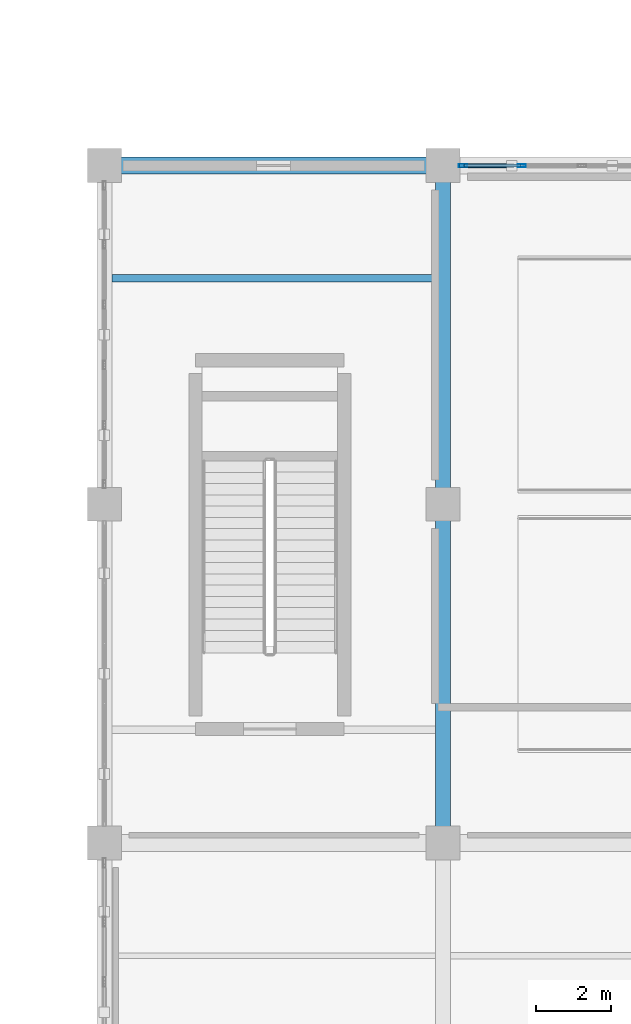
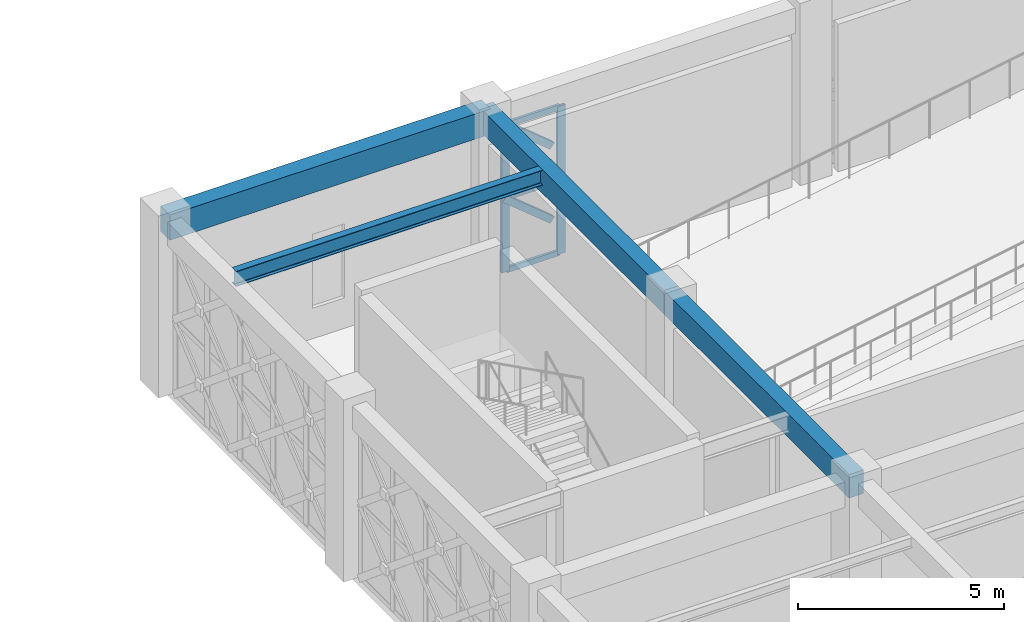
# One storey, part 51 of 166: 7 members, 4 beams, 1 element without a shape of its own.
"""IFC4 building model written with IfcOpenShell, lengths in metres."""

from ifc_helpers import new_model, si_unit, direction, frame, origin, origin_2d, place, context, subcontext, project, spatial, rectangle, hollow_rectangle, i_section, extrude, material, material_profile, profile_set, type_object, element, aggregate, save


model = new_model("IFC4")

# Units and contexts
model_context = context("Model", 3, precision=1e-05, world=origin(), true_north=direction((0.0, 1.0)))
body_context = subcontext(model_context, "Body", "Model", "MODEL_VIEW")
ifc_project = project(units=[si_unit("LENGTHUNIT", "METRE"), si_unit("AREAUNIT", "SQUARE_METRE"), si_unit("VOLUMEUNIT", "CUBIC_METRE"), si_unit("PLANEANGLEUNIT", "RADIAN"), si_unit("MASSUNIT", "GRAM", prefix="KILO")], contexts=[model_context])

# Site, building, storey
site_placement = place(None, origin())
site = spatial("IfcSite", under=ifc_project, at=site_placement, CompositionType="ELEMENT")
building_placement = place(site_placement, origin())
building = spatial("IfcBuilding", under=site, at=building_placement, Name="Haizhuo Lancet Aquarium", CompositionType="ELEMENT")
storey_placement = place(building_placement, frame((0.0, 0.0, 5.39990234375)))
storey = spatial("IfcBuildingStorey", under=building, at=storey_placement, Name="L01", CompositionType="ELEMENT", Elevation=5.39990234375)

# Beams
ifc_material_1 = material(Name="Concrete C40/50", Category="concrete")
ifc_material_profile_1 = material_profile(ifc_material_1, rectangle(XDim=0.39990234375, YDim=0.699951171875, at=origin_2d()), Name="RC-BM 400x700")
ifc_profile_set_1 = profile_set([ifc_material_profile_1], Name="Concrete C40/50")
beam_type_1 = type_object("IfcBeamType", Name="BM-RC-400x700", PredefinedType="BEAM", material=ifc_profile_set_1)
for number, where, z_axis, x_axis, name in (
    (1, (36.0, -27.0, 4.7900390625), (0.0, 1.0, 0.0), (-1.0, 0.0, 0.0), "L01 V3 primary girder BM-L01-V3-009"),
    (2, (36.0, -18.0, 4.7900390625), (0.0, 1.0, 0.0), (-1.0, 0.0, 0.0), "L01 V3 primary girder BM-L01-V3-011"),
):
    element("IfcBeam", number, at=place(storey_placement, frame(where, z_axis=z_axis, x_axis=x_axis)), inside=storey, type_object=beam_type_1, Name=name, PredefinedType="BEAM", context=body_context, shape_type="SweptSolid", body=[
        extrude(rectangle(XDim=0.39990234375, YDim=0.699951171875, at=origin_2d()), origin(), (0.0, 0.0, 1.0), 9.0),
    ])
ifc_material_profile_2 = material_profile(ifc_material_1, rectangle(XDim=0.449951171875, YDim=0.75, at=origin_2d()), Name="RC-BM 450x750")
ifc_profile_set_2 = profile_set([ifc_material_profile_2], Name="Concrete C40/50")
beam_type_2 = type_object("IfcBeamType", Name="BM-RC-450x750", PredefinedType="BEAM", material=ifc_profile_set_2)
beam_1_placement = place(storey_placement, frame((27.0, -9.0, 4.76513671875), z_axis=(1.0, 0.0, 0.0), x_axis=(0.0, 1.0, 0.0)))
element("IfcBeam", 3, at=beam_1_placement, inside=storey, type_object=beam_type_2, Name="L01 V3 primary girder BM-L01-V3-006", PredefinedType="BEAM", context=body_context, shape_type="SweptSolid", body=[
    extrude(rectangle(XDim=0.449951171875, YDim=0.75, at=origin_2d()), origin(), (0.0, 0.0, 1.0), 9.0),
])

# Curtain wall, members
ifc_material_2 = material(Name="Aluminium 6063-T6", Category="aluminium")
curtain_wall_type = type_object("IfcCurtainWallType", Name="CWO-8010x4390", PredefinedType="NOTDEFINED", material=ifc_material_2)
curtain_wall_placement = place(storey_placement, origin())
curtain_wall = element("IfcCurtainWall", 4, at=curtain_wall_placement, inside=storey, type_object=curtain_wall_type, Name="L01 curtain wall CW-V3-L01-038", PredefinedType="NOTDEFINED")
ifc_material_profile_3 = material_profile(ifc_material_2, hollow_rectangle(XDim=0.074951171875, YDim=0.219970703125, WallThickness=0.0048828125, at=origin_2d()), Name="ALU-M 75x220x5")
ifc_profile_set_3 = profile_set([ifc_material_profile_3], Name="Aluminium 6063-T6")
member_type_1 = type_object("IfcMemberType", Name="CW-MUL-2", PredefinedType="MULLION", material=ifc_profile_set_3)
member_1_placement = place(storey_placement, frame((36.531982421875, -9.0, 0.0), z_axis=(0.0, 0.0, 1.0), x_axis=(0.0, 1.0, 0.0)))
member_1 = element("IfcMember", 5, at=member_1_placement, type_object=member_type_1, Name="CWO-80x43 mullion 1", PredefinedType="MULLION", context=body_context, shape_type="SweptSolid", body=[
    extrude(hollow_rectangle(XDim=0.074951171875, YDim=0.219970703125, WallThickness=0.0048828125, at=origin_2d()), origin(), (0.0, 0.0, 1.0), 4.39013671875),
])
member_2_placement = place(storey_placement, frame((38.096923828125, -9.0, 0.0), z_axis=(0.0, 0.0, 1.0), x_axis=(0.0, 1.0, 0.0)))
member_2 = element("IfcMember", 6, at=member_2_placement, type_object=member_type_1, Name="CWO-80x43 mullion 2", PredefinedType="MULLION", context=body_context, shape_type="SweptSolid", body=[
    extrude(hollow_rectangle(XDim=0.074951171875, YDim=0.219970703125, WallThickness=0.0048828125, at=origin_2d()), origin(), (0.0, 0.0, 1.0), 4.39013671875),
])
ifc_material_profile_4 = material_profile(ifc_material_2, hollow_rectangle(XDim=0.074951171875, YDim=0.159912109375, WallThickness=0.00390625, at=origin_2d()), Name="ALU-T 75x160x4")
ifc_profile_set_4 = profile_set([ifc_material_profile_4], Name="Aluminium 6063-T6")
member_type_2 = type_object("IfcMemberType", Name="CW-TRN-2", PredefinedType="NOTDEFINED", material=ifc_profile_set_4)
member_3_placement = place(storey_placement, frame((36.570068359375, -9.0, 0.0380859375), z_axis=(1.0, 0.0, 0.0), x_axis=(0.0, 1.0, 0.0)))
member_3 = element("IfcMember", 7, at=member_3_placement, type_object=member_type_2, Name="CWO-80x43 transom 1.1", ObjectType="TRANSOM", PredefinedType="USERDEFINED", context=body_context, shape_type="SweptSolid", body=[
    extrude(hollow_rectangle(XDim=0.074951171875, YDim=0.159912109375, WallThickness=0.00390625, at=origin_2d()), origin(), (0.0, 0.0, 1.0), 1.489013671875),
])
member_4_placement = place(storey_placement, frame((36.570068359375, -9.0, 2.195068359375), z_axis=(1.0, 0.0, 0.0), x_axis=(0.0, 1.0, 0.0)))
member_4 = element("IfcMember", 8, at=member_4_placement, type_object=member_type_2, Name="CWO-80x43 transom 1.2", ObjectType="TRANSOM", PredefinedType="USERDEFINED", context=body_context, shape_type="SweptSolid", body=[
    extrude(hollow_rectangle(XDim=0.074951171875, YDim=0.159912109375, WallThickness=0.00390625, at=origin_2d()), origin(), (0.0, 0.0, 1.0), 1.489013671875),
])
member_5_placement = place(storey_placement, frame((36.570068359375, -9.0, 4.35205078125), z_axis=(1.0, 0.0, 0.0), x_axis=(0.0, 1.0, 0.0)))
member_5 = element("IfcMember", 9, at=member_5_placement, type_object=member_type_2, Name="CWO-80x43 transom 1.3", ObjectType="TRANSOM", PredefinedType="USERDEFINED", context=body_context, shape_type="SweptSolid", body=[
    extrude(hollow_rectangle(XDim=0.074951171875, YDim=0.159912109375, WallThickness=0.00390625, at=origin_2d()), origin(), (0.0, 0.0, 1.0), 1.489013671875),
])
aggregate(curtain_wall, [member_1, member_2, member_3, member_4, member_5])

# Beam
ifc_material_3 = material(Name="Steel S355", Category="steel")
ifc_material_profile_5 = material_profile(ifc_material_3, i_section(OverallWidth=0.199951171875, OverallDepth=0.449951171875, WebThickness=0.009033203125, FlangeThickness=0.013916015625, FilletRadius=0.01806640625, at=origin_2d()), Name="HN 450x200x9x14")
ifc_profile_set_5 = profile_set([ifc_material_profile_5], Name="Steel S355")
beam_type_3 = type_object("IfcBeamType", Name="JST-ST-HN450", PredefinedType="JOIST", material=ifc_profile_set_5)
beam_2_placement = place(storey_placement, frame((27.199951171875, -12.0, 4.9150390625), z_axis=(1.0, 0.0, 0.0), x_axis=(0.0, 1.0, 0.0)))
element("IfcBeam", 10, at=beam_2_placement, inside=storey, type_object=beam_type_3, Name="L01 V3 secondary floor joist 4", PredefinedType="JOIST", context=body_context, shape_type="SweptSolid", body=[
    extrude(i_section(OverallWidth=0.199951171875, OverallDepth=0.449951171875, WebThickness=0.009033203125, FlangeThickness=0.013916015625, FilletRadius=0.01806640625, at=origin_2d()), origin(), (0.0, 0.0, 1.0), 8.60009765625),
])

# Members
ifc_material_profile_6 = material_profile(ifc_material_3, hollow_rectangle(XDim=0.1201171875, YDim=0.199951171875, WallThickness=0.008056640625, at=origin_2d()), Name="RHS 120x200x8")
ifc_profile_set_6 = profile_set([ifc_material_profile_6], Name="Steel S355")
member_type_3 = type_object("IfcMemberType", Name="MEM-LB-RHS120x200", PredefinedType="BRACE", material=ifc_profile_set_6)
member_6_placement = place(storey_placement, frame((37.830078125, -9.0, 1.09814453125), z_axis=(-0.772627238419, 0.0, 0.634859945541), x_axis=(0.0, -1.0, 0.0)))
element("IfcMember", 11, at=member_6_placement, inside=storey, type_object=member_type_3, Name="Gothic lancet split diagonal brace CW-V3-L01-038 1B2", PredefinedType="BRACE", context=body_context, shape_type="SweptSolid", body=[
    extrude(hollow_rectangle(XDim=0.1201171875, YDim=0.199951171875, WallThickness=0.008056640625, at=origin_2d()), origin(), (0.0, 0.0, 1.0), 1.727783203125),
])
member_7_placement = place(storey_placement, frame((37.830078125, -9.0, 3.2919921875), z_axis=(-0.772280733977, 0.0, 0.635281408454), x_axis=(0.0, -1.0, 0.0)))
element("IfcMember", 12, at=member_7_placement, inside=storey, type_object=member_type_3, Name="Gothic lancet split diagonal brace CW-V3-L01-038 2B2", PredefinedType="BRACE", context=body_context, shape_type="SweptSolid", body=[
    extrude(hollow_rectangle(XDim=0.1201171875, YDim=0.199951171875, WallThickness=0.008056640625, at=origin_2d()), origin(), (0.0, 0.0, 1.0), 1.728515625),
])

save(model, "model.ifc")
